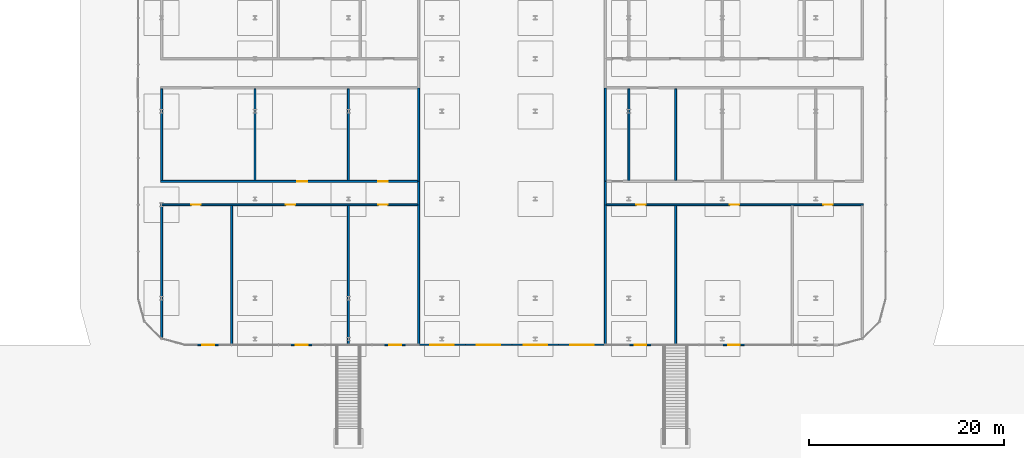
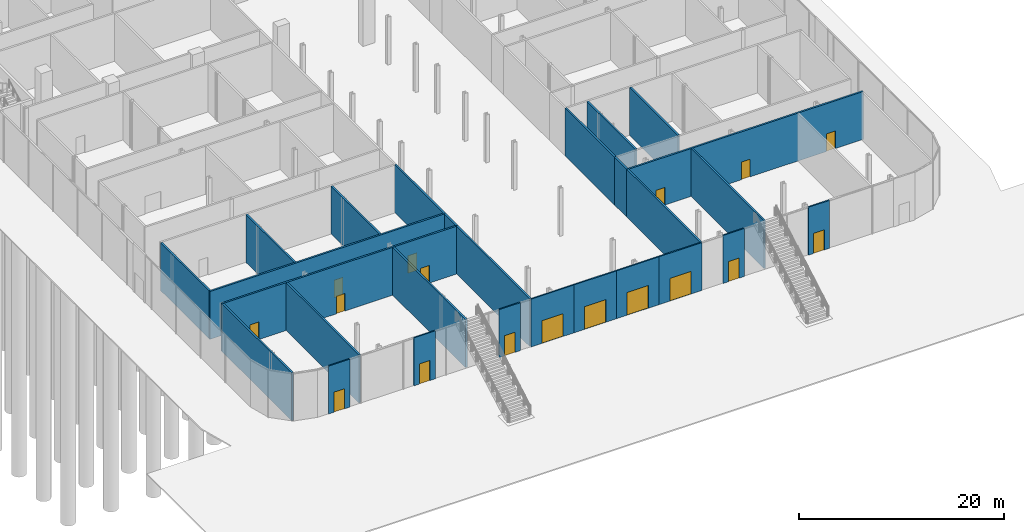
# One storey, part 29 of 44: 27 walls, 17 doors, 17 openings.
"""IFC4 building model written with IfcOpenShell, lengths in metres."""

from ifc_helpers import new_model, si_unit, direction, frame, frame_2d, origin, place, context, subcontext, project, spatial, rectangle, extrude, material, layer, layer_set, type_object, element, fill, save


model = new_model("IFC4")

# Units and contexts
model_context = context("Model", 3, precision=1e-05, world=origin(), true_north=direction((0.0, 1.0)))
body_context = subcontext(model_context, "Body", "Model", "MODEL_VIEW")
ifc_project = project(units=[si_unit("LENGTHUNIT", "METRE"), si_unit("AREAUNIT", "SQUARE_METRE"), si_unit("VOLUMEUNIT", "CUBIC_METRE"), si_unit("PLANEANGLEUNIT", "RADIAN"), si_unit("MASSUNIT", "GRAM", prefix="KILO")], contexts=[model_context])

# Site, building, storey
site_placement = place(None, origin())
site = spatial("IfcSite", under=ifc_project, at=site_placement, CompositionType="ELEMENT")
building_placement = place(site_placement, origin())
building = spatial("IfcBuilding", under=site, at=building_placement, Name="Madar Terraces", CompositionType="ELEMENT")
storey_placement = place(building_placement, origin())
storey = spatial("IfcBuildingStorey", under=building, at=storey_placement, Name="L00", CompositionType="ELEMENT", Elevation=0.0)

# Wall, opening, door
ifc_material_1 = material(Name="Aluminium composite panel, black, over insulated backing", Category="aluminium")
ifc_layer_1 = layer(ifc_material_1, 0.14990234375)
ifc_layer_set_1 = layer_set([ifc_layer_1], Name="Facade bay panel 150")
wall_type_1 = type_object("IfcWallType", Name="Facade bay panel 150", PredefinedType="SOLIDWALL", material=ifc_layer_set_1)
wall_1_placement = place(storey_placement, frame((1.199951171875, -52.800048828125, 0.0), z_axis=(0.0, 0.0, 1.0), x_axis=(-1.0, 0.0, 0.0)))
wall_1 = element("IfcWall", 1, at=wall_1_placement, inside=storey, type_object=wall_type_1, Name="Facade bay panel", PredefinedType="SOLIDWALL", context=body_context, shape_type="SweptSolid", body=[
    extrude(rectangle(XDim=2.39990234375, YDim=0.14990234375, at=frame_2d((1.199951171875, 0.0))), origin(), (0.0, 0.0, 1.0), 5.699951171875),
])
opening_1_placement = place(wall_1_placement, frame((0.60009765625, 0.0, 0.0)))
opening_1 = element("IfcOpeningElement", 2, at=opening_1_placement, cuts=wall_1, Name="Opening ED7", PredefinedType="OPENING", context=body_context, shape_type="SweptSolid", body=[
    extrude(rectangle(XDim=1.199951171875, YDim=2.39990234375, at=frame_2d((0.60009765625, 1.199951171875))), frame((0.0, 0.0849609375, 0.0), z_axis=(0.0, -1.0, 0.0), x_axis=(1.0, 0.0, 0.0)), (0.0, 0.0, 1.0), 0.169921875),
])
ifc_material_2 = material(Name="Glass, clear, with black aluminium frame", Category="aluminium")
door_type_1 = type_object("IfcDoorType", Name="Glazed shop door 1200 x 2400", OperationType="NOTDEFINED", PredefinedType="DOOR", material=ifc_material_2)
door_1_placement = place(opening_1_placement, origin())
door_1 = element("IfcDoor", 3, at=door_1_placement, inside=storey, type_object=door_type_1, Name="Shopfront door", OperationType="SINGLE_SWING_LEFT", OverallHeight=2.39990234375, OverallWidth=1.199951171875, PredefinedType="DOOR", context=body_context, shape_type="SweptSolid", body=[
    extrude(rectangle(XDim=1.199951171875, YDim=2.39990234375, at=frame_2d((0.60009765625, 1.199951171875))), frame((0.0, 0.02490234375, 0.0), z_axis=(0.0, -1.0, 0.0), x_axis=(1.0, 0.0, 0.0)), (0.0, 0.0, 1.0), 0.050048828125),
])
fill(opening_1, door_1)

wall_2_placement = place(storey_placement, frame((10.800048828125, -52.800048828125, 0.0), z_axis=(0.0, 0.0, 1.0), x_axis=(-1.0, 0.0, 0.0)))
wall_2 = element("IfcWall", 4, at=wall_2_placement, inside=storey, type_object=wall_type_1, Name="Facade bay panel", PredefinedType="SOLIDWALL", context=body_context, shape_type="SweptSolid", body=[
    extrude(rectangle(XDim=2.400146484375, YDim=0.14990234375, at=frame_2d((1.2001953125, 0.0))), origin(), (0.0, 0.0, 1.0), 5.699951171875),
])
opening_2_placement = place(wall_2_placement, frame((0.60009765625, 0.0, 0.0)))
opening_2 = element("IfcOpeningElement", 5, at=opening_2_placement, cuts=wall_2, Name="Opening ED7", PredefinedType="OPENING", context=body_context, shape_type="SweptSolid", body=[
    extrude(rectangle(XDim=1.199951171875, YDim=2.39990234375, at=frame_2d((0.60009765625, 1.199951171875))), frame((0.0, 0.0849609375, 0.0), z_axis=(0.0, -1.0, 0.0), x_axis=(1.0, 0.0, 0.0)), (0.0, 0.0, 1.0), 0.169921875),
])
door_2_placement = place(opening_2_placement, origin())
door_2 = element("IfcDoor", 6, at=door_2_placement, inside=storey, type_object=door_type_1, Name="Shopfront door", OperationType="SINGLE_SWING_RIGHT", OverallHeight=2.39990234375, OverallWidth=1.199951171875, PredefinedType="DOOR", context=body_context, shape_type="SweptSolid", body=[
    extrude(rectangle(XDim=1.199951171875, YDim=2.39990234375, at=frame_2d((0.60009765625, 1.199951171875))), frame((0.0, 0.02490234375, 0.0), z_axis=(0.0, -1.0, 0.0), x_axis=(1.0, 0.0, 0.0)), (0.0, 0.0, 1.0), 0.050048828125),
])
fill(opening_2, door_2)

wall_3_placement = place(storey_placement, frame((20.39990234375, -52.800048828125, 0.0), z_axis=(0.0, 0.0, 1.0), x_axis=(-1.0, 0.0, 0.0)))
wall_3 = element("IfcWall", 7, at=wall_3_placement, inside=storey, type_object=wall_type_1, Name="Facade bay panel", PredefinedType="SOLIDWALL", context=body_context, shape_type="SweptSolid", body=[
    extrude(rectangle(XDim=2.39990234375, YDim=0.14990234375, at=frame_2d((1.199951171875, 0.0))), origin(), (0.0, 0.0, 1.0), 5.699951171875),
])
opening_3_placement = place(wall_3_placement, frame((0.60009765625, 0.0, 0.0)))
opening_3 = element("IfcOpeningElement", 8, at=opening_3_placement, cuts=wall_3, Name="Opening ED7", PredefinedType="OPENING", context=body_context, shape_type="SweptSolid", body=[
    extrude(rectangle(XDim=1.199951171875, YDim=2.39990234375, at=frame_2d((0.60009765625, 1.199951171875))), frame((0.0, 0.0849609375, 0.0), z_axis=(0.0, -1.0, 0.0), x_axis=(1.0, 0.0, 0.0)), (0.0, 0.0, 1.0), 0.169921875),
])
door_3_placement = place(opening_3_placement, origin())
door_3 = element("IfcDoor", 9, at=door_3_placement, inside=storey, type_object=door_type_1, Name="Shopfront door", OperationType="SINGLE_SWING_LEFT", OverallHeight=2.39990234375, OverallWidth=1.199951171875, PredefinedType="DOOR", context=body_context, shape_type="SweptSolid", body=[
    extrude(rectangle(XDim=1.199951171875, YDim=2.39990234375, at=frame_2d((0.60009765625, 1.199951171875))), frame((0.0, 0.02490234375, 0.0), z_axis=(0.0, -1.0, 0.0), x_axis=(1.0, 0.0, 0.0)), (0.0, 0.0, 1.0), 0.050048828125),
])
fill(opening_3, door_3)

wall_4_placement = place(storey_placement, frame((21.60009765625, -52.800048828125, 0.0), z_axis=(0.0, 0.0, 1.0), x_axis=(1.0, 0.0, 0.0)))
wall_4 = element("IfcWall", 10, at=wall_4_placement, inside=storey, type_object=wall_type_1, Name="Facade bay panel", PredefinedType="SOLIDWALL", context=body_context, shape_type="SweptSolid", body=[
    extrude(rectangle(XDim=4.7998046875, YDim=0.14990234375, at=frame_2d((2.39990234375, 0.0))), origin(), (0.0, 0.0, 1.0), 5.699951171875),
])
opening_4_placement = place(wall_4_placement, frame((1.199951171875, 0.0, 0.0)))
opening_4 = element("IfcOpeningElement", 11, at=opening_4_placement, cuts=wall_4, Name="Opening ED3", PredefinedType="OPENING", context=body_context, shape_type="SweptSolid", body=[
    extrude(rectangle(XDim=2.39990234375, YDim=2.699951171875, at=frame_2d((1.199951171875, 1.35009765625))), frame((0.0, 0.0849609375, 0.0), z_axis=(0.0, -1.0, 0.0), x_axis=(1.0, 0.0, 0.0)), (0.0, 0.0, 1.0), 0.169921875),
])
ifc_material_3 = material(Name="Glass, clear, with black aluminium frame", Category="aluminium")
door_type_2 = type_object("IfcDoorType", Name="Entrance sliding door 2400 x 2700", OperationType="DOUBLE_DOOR_SLIDING", PredefinedType="DOOR", material=ifc_material_3)
door_4_placement = place(opening_4_placement, origin())
door_4 = element("IfcDoor", 12, at=door_4_placement, inside=storey, type_object=door_type_2, Name="Entrance door", OperationType="DOUBLE_DOOR_SLIDING", OverallHeight=2.699951171875, OverallWidth=2.39990234375, PredefinedType="DOOR", context=body_context, shape_type="SweptSolid", body=[
    extrude(rectangle(XDim=2.39990234375, YDim=2.699951171875, at=frame_2d((1.199951171875, 1.35009765625))), frame((0.0, 0.02490234375, 0.0), z_axis=(0.0, -1.0, 0.0), x_axis=(1.0, 0.0, 0.0)), (0.0, 0.0, 1.0), 0.050048828125),
])
fill(opening_4, door_4)

wall_5_placement = place(storey_placement, frame((26.39990234375, -52.800048828125, 0.0), z_axis=(0.0, 0.0, 1.0), x_axis=(1.0, 0.0, 0.0)))
wall_5 = element("IfcWall", 13, at=wall_5_placement, inside=storey, type_object=wall_type_1, Name="Facade bay panel", PredefinedType="SOLIDWALL", context=body_context, shape_type="SweptSolid", body=[
    extrude(rectangle(XDim=4.800048828125, YDim=0.14990234375, at=frame_2d((2.39990234375, 0.0))), origin(), (0.0, 0.0, 1.0), 5.699951171875),
])
opening_5_placement = place(wall_5_placement, frame((1.199951171875, 0.0, 0.0)))
opening_5 = element("IfcOpeningElement", 14, at=opening_5_placement, cuts=wall_5, Name="Opening ED3", PredefinedType="OPENING", context=body_context, shape_type="SweptSolid", body=[
    extrude(rectangle(XDim=2.39990234375, YDim=2.699951171875, at=frame_2d((1.199951171875, 1.35009765625))), frame((0.0, 0.0849609375, 0.0), z_axis=(0.0, -1.0, 0.0), x_axis=(1.0, 0.0, 0.0)), (0.0, 0.0, 1.0), 0.169921875),
])
door_5_placement = place(opening_5_placement, origin())
door_5 = element("IfcDoor", 15, at=door_5_placement, inside=storey, type_object=door_type_2, Name="Entrance door", OperationType="DOUBLE_DOOR_SLIDING", OverallHeight=2.699951171875, OverallWidth=2.39990234375, PredefinedType="DOOR", context=body_context, shape_type="SweptSolid", body=[
    extrude(rectangle(XDim=2.39990234375, YDim=2.699951171875, at=frame_2d((1.199951171875, 1.35009765625))), frame((0.0, 0.02490234375, 0.0), z_axis=(0.0, -1.0, 0.0), x_axis=(1.0, 0.0, 0.0)), (0.0, 0.0, 1.0), 0.050048828125),
])
fill(opening_5, door_5)

wall_6_placement = place(storey_placement, frame((31.199951171875, -52.800048828125, 0.0), z_axis=(0.0, 0.0, 1.0), x_axis=(1.0, 0.0, 0.0)))
wall_6 = element("IfcWall", 16, at=wall_6_placement, inside=storey, type_object=wall_type_1, Name="Facade bay panel", PredefinedType="SOLIDWALL", context=body_context, shape_type="SweptSolid", body=[
    extrude(rectangle(XDim=4.800048828125, YDim=0.14990234375, at=frame_2d((2.39990234375, 0.0))), origin(), (0.0, 0.0, 1.0), 5.699951171875),
])
opening_6_placement = place(wall_6_placement, frame((1.199951171875, 0.0, 0.0)))
opening_6 = element("IfcOpeningElement", 17, at=opening_6_placement, cuts=wall_6, Name="Opening ED3", PredefinedType="OPENING", context=body_context, shape_type="SweptSolid", body=[
    extrude(rectangle(XDim=2.39990234375, YDim=2.699951171875, at=frame_2d((1.199951171875, 1.35009765625))), frame((0.0, 0.0849609375, 0.0), z_axis=(0.0, -1.0, 0.0), x_axis=(1.0, 0.0, 0.0)), (0.0, 0.0, 1.0), 0.169921875),
])
door_6_placement = place(opening_6_placement, origin())
door_6 = element("IfcDoor", 18, at=door_6_placement, inside=storey, type_object=door_type_2, Name="Entrance door", OperationType="DOUBLE_DOOR_SLIDING", OverallHeight=2.699951171875, OverallWidth=2.39990234375, PredefinedType="DOOR", context=body_context, shape_type="SweptSolid", body=[
    extrude(rectangle(XDim=2.39990234375, YDim=2.699951171875, at=frame_2d((1.199951171875, 1.35009765625))), frame((0.0, 0.02490234375, 0.0), z_axis=(0.0, -1.0, 0.0), x_axis=(1.0, 0.0, 0.0)), (0.0, 0.0, 1.0), 0.050048828125),
])
fill(opening_6, door_6)

wall_7_placement = place(storey_placement, frame((36.0, -52.800048828125, 0.0), z_axis=(0.0, 0.0, 1.0), x_axis=(1.0, 0.0, 0.0)))
wall_7 = element("IfcWall", 19, at=wall_7_placement, inside=storey, type_object=wall_type_1, Name="Facade bay panel", PredefinedType="SOLIDWALL", context=body_context, shape_type="SweptSolid", body=[
    extrude(rectangle(XDim=4.800048828125, YDim=0.14990234375, at=frame_2d((2.39990234375, 0.0))), origin(), (0.0, 0.0, 1.0), 5.699951171875),
])
opening_7_placement = place(wall_7_placement, frame((1.199951171875, 0.0, 0.0)))
opening_7 = element("IfcOpeningElement", 20, at=opening_7_placement, cuts=wall_7, Name="Opening ED3", PredefinedType="OPENING", context=body_context, shape_type="SweptSolid", body=[
    extrude(rectangle(XDim=2.39990234375, YDim=2.699951171875, at=frame_2d((1.199951171875, 1.35009765625))), frame((0.0, 0.0849609375, 0.0), z_axis=(0.0, -1.0, 0.0), x_axis=(1.0, 0.0, 0.0)), (0.0, 0.0, 1.0), 0.169921875),
])
door_7_placement = place(opening_7_placement, origin())
door_7 = element("IfcDoor", 21, at=door_7_placement, inside=storey, type_object=door_type_2, Name="Entrance door", OperationType="DOUBLE_DOOR_SLIDING", OverallHeight=2.699951171875, OverallWidth=2.39990234375, PredefinedType="DOOR", context=body_context, shape_type="SweptSolid", body=[
    extrude(rectangle(XDim=2.39990234375, YDim=2.699951171875, at=frame_2d((1.199951171875, 1.35009765625))), frame((0.0, 0.02490234375, 0.0), z_axis=(0.0, -1.0, 0.0), x_axis=(1.0, 0.0, 0.0)), (0.0, 0.0, 1.0), 0.050048828125),
])
fill(opening_7, door_7)

wall_8_placement = place(storey_placement, frame((45.60009765625, -52.800048828125, 0.0), z_axis=(0.0, 0.0, 1.0), x_axis=(-1.0, 0.0, 0.0)))
wall_8 = element("IfcWall", 22, at=wall_8_placement, inside=storey, type_object=wall_type_1, Name="Facade bay panel", PredefinedType="SOLIDWALL", context=body_context, shape_type="SweptSolid", body=[
    extrude(rectangle(XDim=2.400146484375, YDim=0.14990234375, at=frame_2d((1.2001953125, 0.0))), origin(), (0.0, 0.0, 1.0), 5.699951171875),
])
opening_8_placement = place(wall_8_placement, frame((0.60009765625, 0.0, 0.0)))
opening_8 = element("IfcOpeningElement", 23, at=opening_8_placement, cuts=wall_8, Name="Opening ED7", PredefinedType="OPENING", context=body_context, shape_type="SweptSolid", body=[
    extrude(rectangle(XDim=1.199951171875, YDim=2.39990234375, at=frame_2d((0.60009765625, 1.199951171875))), frame((0.0, 0.0849609375, 0.0), z_axis=(0.0, -1.0, 0.0), x_axis=(1.0, 0.0, 0.0)), (0.0, 0.0, 1.0), 0.169921875),
])
door_8_placement = place(opening_8_placement, origin())
door_8 = element("IfcDoor", 24, at=door_8_placement, inside=storey, type_object=door_type_1, Name="Shopfront door", OperationType="SINGLE_SWING_RIGHT", OverallHeight=2.39990234375, OverallWidth=1.199951171875, PredefinedType="DOOR", context=body_context, shape_type="SweptSolid", body=[
    extrude(rectangle(XDim=1.199951171875, YDim=2.39990234375, at=frame_2d((0.60009765625, 1.199951171875))), frame((0.0, 0.02490234375, 0.0), z_axis=(0.0, -1.0, 0.0), x_axis=(1.0, 0.0, 0.0)), (0.0, 0.0, 1.0), 0.050048828125),
])
fill(opening_8, door_8)

wall_9_placement = place(storey_placement, frame((55.199951171875, -52.800048828125, 0.0), z_axis=(0.0, 0.0, 1.0), x_axis=(-1.0, 0.0, 0.0)))
wall_9 = element("IfcWall", 25, at=wall_9_placement, inside=storey, type_object=wall_type_1, Name="Facade bay panel", PredefinedType="SOLIDWALL", context=body_context, shape_type="SweptSolid", body=[
    extrude(rectangle(XDim=2.39990234375, YDim=0.14990234375, at=frame_2d((1.199951171875, 0.0))), origin(), (0.0, 0.0, 1.0), 5.699951171875),
])
opening_9_placement = place(wall_9_placement, frame((0.60009765625, 0.0, 0.0)))
opening_9 = element("IfcOpeningElement", 26, at=opening_9_placement, cuts=wall_9, Name="Opening ED7", PredefinedType="OPENING", context=body_context, shape_type="SweptSolid", body=[
    extrude(rectangle(XDim=1.199951171875, YDim=2.39990234375, at=frame_2d((0.60009765625, 1.199951171875))), frame((0.0, 0.0849609375, 0.0), z_axis=(0.0, -1.0, 0.0), x_axis=(1.0, 0.0, 0.0)), (0.0, 0.0, 1.0), 0.169921875),
])
door_9_placement = place(opening_9_placement, origin())
door_9 = element("IfcDoor", 27, at=door_9_placement, inside=storey, type_object=door_type_1, Name="Shopfront door", OperationType="SINGLE_SWING_LEFT", OverallHeight=2.39990234375, OverallWidth=1.199951171875, PredefinedType="DOOR", context=body_context, shape_type="SweptSolid", body=[
    extrude(rectangle(XDim=1.199951171875, YDim=2.39990234375, at=frame_2d((0.60009765625, 1.199951171875))), frame((0.0, 0.02490234375, 0.0), z_axis=(0.0, -1.0, 0.0), x_axis=(1.0, 0.0, 0.0)), (0.0, 0.0, 1.0), 0.050048828125),
])
fill(opening_9, door_9)

# Wall, openings, doors
ifc_material_4 = material(Name="Gypsum board partition, fire-rated")
ifc_layer_2 = layer(ifc_material_4, 0.199951171875)
ifc_layer_set_2 = layer_set([ifc_layer_2], Name="Partition 200 EI 60")
wall_type_2 = type_object("IfcWallType", Name="Partition 200 EI 60", PredefinedType="PARTITIONING", material=ifc_layer_set_2)
wall_10_placement = place(storey_placement, frame((21.5, -38.39990234375, 0.0), z_axis=(0.0, 0.0, 1.0), x_axis=(-1.0, 0.0, 0.0)))
wall_10 = element("IfcWall", 28, at=wall_10_placement, inside=storey, type_object=wall_type_2, Name="Wall RETAIL UNIT", PredefinedType="PARTITIONING", context=body_context, shape_type="SweptSolid", body=[
    extrude(rectangle(XDim=26.39990234375, YDim=0.199951171875, at=frame_2d((13.199951171875, 0.0))), origin(), (0.0, 0.0, 1.0), 5.699951171875),
])
opening_10_placement = place(wall_10_placement, frame((22.25, 0.0, 0.0)))
opening_10 = element("IfcOpeningElement", 29, at=opening_10_placement, cuts=wall_10, Name="Opening D31", PredefinedType="OPENING", context=body_context, shape_type="SweptSolid", body=[
    extrude(rectangle(XDim=1.0, YDim=2.10009765625, at=frame_2d((0.5, 1.050048828125))), frame((0.0, 0.10986328125, 0.0), z_axis=(0.0, -1.0, 0.0), x_axis=(1.0, 0.0, 0.0)), (0.0, 0.0, 1.0), 0.219970703125),
])
opening_11_placement = place(wall_10_placement, frame((12.550048828125, 0.0, 0.0)))
opening_11 = element("IfcOpeningElement", 30, at=opening_11_placement, cuts=wall_10, Name="Opening D31", PredefinedType="OPENING", context=body_context, shape_type="SweptSolid", body=[
    extrude(rectangle(XDim=1.0, YDim=2.10009765625, at=frame_2d((0.5, 1.050048828125))), frame((0.0, 0.10986328125, 0.0), z_axis=(0.0, -1.0, 0.0), x_axis=(1.0, 0.0, 0.0)), (0.0, 0.0, 1.0), 0.219970703125),
])
opening_12_placement = place(wall_10_placement, frame((3.050048828125, 0.0, 0.0)))
opening_12 = element("IfcOpeningElement", 31, at=opening_12_placement, cuts=wall_10, Name="Opening D31", PredefinedType="OPENING", context=body_context, shape_type="SweptSolid", body=[
    extrude(rectangle(XDim=1.0, YDim=2.10009765625, at=frame_2d((0.5, 1.050048828125))), frame((0.0, 0.10986328125, 0.0), z_axis=(0.0, -1.0, 0.0), x_axis=(1.0, 0.0, 0.0)), (0.0, 0.0, 1.0), 0.219970703125),
])
ifc_material_5 = material(Name="Timber door leaf, fire-rated", Category="wood")
door_type_3 = type_object("IfcDoorType", Name="Podium door 1000 x 2100 FD30S", OperationType="NOTDEFINED", PredefinedType="DOOR", material=ifc_material_5)
door_10_placement = place(opening_10_placement, origin())
door_10 = element("IfcDoor", 32, at=door_10_placement, inside=storey, type_object=door_type_3, Name="Door RETAIL UNIT / PODIUM CORRIDOR", OperationType="SINGLE_SWING_RIGHT", OverallHeight=2.10009765625, OverallWidth=1.0, PredefinedType="DOOR", context=body_context, shape_type="SweptSolid", body=[
    extrude(rectangle(XDim=1.0, YDim=2.10009765625, at=frame_2d((0.5, 1.050048828125))), frame((0.0, 0.02490234375, 0.0), z_axis=(0.0, -1.0, 0.0), x_axis=(1.0, 0.0, 0.0)), (0.0, 0.0, 1.0), 0.050048828125),
])
fill(opening_10, door_10)
door_11_placement = place(opening_11_placement, origin())
door_11 = element("IfcDoor", 33, at=door_11_placement, inside=storey, type_object=door_type_3, Name="Door RETAIL UNIT / PODIUM CORRIDOR", OperationType="SINGLE_SWING_LEFT", OverallHeight=2.10009765625, OverallWidth=1.0, PredefinedType="DOOR", context=body_context, shape_type="SweptSolid", body=[
    extrude(rectangle(XDim=1.0, YDim=2.10009765625, at=frame_2d((0.5, 1.050048828125))), frame((0.0, 0.02490234375, 0.0), z_axis=(0.0, -1.0, 0.0), x_axis=(1.0, 0.0, 0.0)), (0.0, 0.0, 1.0), 0.050048828125),
])
fill(opening_11, door_11)
door_12_placement = place(opening_12_placement, origin())
door_12 = element("IfcDoor", 34, at=door_12_placement, inside=storey, type_object=door_type_3, Name="Door RETAIL UNIT / PODIUM CORRIDOR", OperationType="SINGLE_SWING_LEFT", OverallHeight=2.10009765625, OverallWidth=1.0, PredefinedType="DOOR", context=body_context, shape_type="SweptSolid", body=[
    extrude(rectangle(XDim=1.0, YDim=2.10009765625, at=frame_2d((0.5, 1.050048828125))), frame((0.0, 0.02490234375, 0.0), z_axis=(0.0, -1.0, 0.0), x_axis=(1.0, 0.0, 0.0)), (0.0, 0.0, 1.0), 0.050048828125),
])
fill(opening_12, door_12)

wall_11_placement = place(storey_placement, frame((67.300048828125, -38.39990234375, 0.0), z_axis=(0.0, 0.0, 1.0), x_axis=(-1.0, 0.0, 0.0)))
wall_11 = element("IfcWall", 35, at=wall_11_placement, inside=storey, type_object=wall_type_2, Name="Wall RETAIL UNIT", PredefinedType="PARTITIONING", context=body_context, shape_type="SweptSolid", body=[
    extrude(rectangle(XDim=26.400146484375, YDim=0.199951171875, at=frame_2d((13.2001953125, 0.0))), origin(), (0.0, 0.0, 1.0), 5.699951171875),
])
opening_13_placement = place(wall_11_placement, frame((22.35009765625, 0.0, 0.0)))
opening_13 = element("IfcOpeningElement", 36, at=opening_13_placement, cuts=wall_11, Name="Opening D31", PredefinedType="OPENING", context=body_context, shape_type="SweptSolid", body=[
    extrude(rectangle(XDim=1.0, YDim=2.10009765625, at=frame_2d((0.5, 1.050048828125))), frame((0.0, 0.10986328125, 0.0), z_axis=(0.0, -1.0, 0.0), x_axis=(1.0, 0.0, 0.0)), (0.0, 0.0, 1.0), 0.219970703125),
])
opening_14_placement = place(wall_11_placement, frame((12.75, 0.0, 0.0)))
opening_14 = element("IfcOpeningElement", 37, at=opening_14_placement, cuts=wall_11, Name="Opening D31", PredefinedType="OPENING", context=body_context, shape_type="SweptSolid", body=[
    extrude(rectangle(XDim=1.0, YDim=2.10009765625, at=frame_2d((0.5, 1.050048828125))), frame((0.0, 0.10986328125, 0.0), z_axis=(0.0, -1.0, 0.0), x_axis=(1.0, 0.0, 0.0)), (0.0, 0.0, 1.0), 0.219970703125),
])
opening_15_placement = place(wall_11_placement, frame((3.14990234375, 0.0, 0.0)))
opening_15 = element("IfcOpeningElement", 38, at=opening_15_placement, cuts=wall_11, Name="Opening D31", PredefinedType="OPENING", context=body_context, shape_type="SweptSolid", body=[
    extrude(rectangle(XDim=1.0, YDim=2.10009765625, at=frame_2d((0.5, 1.050048828125))), frame((0.0, 0.10986328125, 0.0), z_axis=(0.0, -1.0, 0.0), x_axis=(1.0, 0.0, 0.0)), (0.0, 0.0, 1.0), 0.219970703125),
])
door_13_placement = place(opening_13_placement, origin())
door_13 = element("IfcDoor", 39, at=door_13_placement, inside=storey, type_object=door_type_3, Name="Door RETAIL UNIT / PODIUM CORRIDOR", OperationType="SINGLE_SWING_LEFT", OverallHeight=2.10009765625, OverallWidth=1.0, PredefinedType="DOOR", context=body_context, shape_type="SweptSolid", body=[
    extrude(rectangle(XDim=1.0, YDim=2.10009765625, at=frame_2d((0.5, 1.050048828125))), frame((0.0, 0.02490234375, 0.0), z_axis=(0.0, -1.0, 0.0), x_axis=(1.0, 0.0, 0.0)), (0.0, 0.0, 1.0), 0.050048828125),
])
fill(opening_13, door_13)
door_14_placement = place(opening_14_placement, origin())
door_14 = element("IfcDoor", 40, at=door_14_placement, inside=storey, type_object=door_type_3, Name="Door RETAIL UNIT / PODIUM CORRIDOR", OperationType="SINGLE_SWING_LEFT", OverallHeight=2.10009765625, OverallWidth=1.0, PredefinedType="DOOR", context=body_context, shape_type="SweptSolid", body=[
    extrude(rectangle(XDim=1.0, YDim=2.10009765625, at=frame_2d((0.5, 1.050048828125))), frame((0.0, 0.02490234375, 0.0), z_axis=(0.0, -1.0, 0.0), x_axis=(1.0, 0.0, 0.0)), (0.0, 0.0, 1.0), 0.050048828125),
])
fill(opening_14, door_14)
door_15_placement = place(opening_15_placement, origin())
door_15 = element("IfcDoor", 41, at=door_15_placement, inside=storey, type_object=door_type_3, Name="Door RETAIL UNIT / PODIUM CORRIDOR", OperationType="SINGLE_SWING_LEFT", OverallHeight=2.10009765625, OverallWidth=1.0, PredefinedType="DOOR", context=body_context, shape_type="SweptSolid", body=[
    extrude(rectangle(XDim=1.0, YDim=2.10009765625, at=frame_2d((0.5, 1.050048828125))), frame((0.0, 0.02490234375, 0.0), z_axis=(0.0, -1.0, 0.0), x_axis=(1.0, 0.0, 0.0)), (0.0, 0.0, 1.0), 0.050048828125),
])
fill(opening_15, door_15)

wall_12_placement = place(storey_placement, frame((-4.89990234375, -36.0, 0.0), z_axis=(0.0, 0.0, 1.0), x_axis=(1.0, 0.0, 0.0)))
wall_12 = element("IfcWall", 42, at=wall_12_placement, inside=storey, type_object=wall_type_2, Name="Wall KIOSK + OFFICE", PredefinedType="PARTITIONING", context=body_context, shape_type="SweptSolid", body=[
    extrude(rectangle(XDim=26.39990234375, YDim=0.199951171875, at=frame_2d((13.199951171875, 0.0))), origin(), (0.0, 0.0, 1.0), 5.699951171875),
])
opening_16_placement = place(wall_12_placement, frame((14.050048828125, 0.0, 0.0)))
opening_16 = element("IfcOpeningElement", 43, at=opening_16_placement, cuts=wall_12, Name="Opening D31", PredefinedType="OPENING", context=body_context, shape_type="SweptSolid", body=[
    extrude(rectangle(XDim=1.0, YDim=2.10009765625, at=frame_2d((0.5, 1.050048828125))), frame((0.0, 0.10986328125, 0.0), z_axis=(0.0, -1.0, 0.0), x_axis=(1.0, 0.0, 0.0)), (0.0, 0.0, 1.0), 0.219970703125),
])
opening_17_placement = place(wall_12_placement, frame((22.35009765625, 0.0, 0.0)))
opening_17 = element("IfcOpeningElement", 44, at=opening_17_placement, cuts=wall_12, Name="Opening D31", PredefinedType="OPENING", context=body_context, shape_type="SweptSolid", body=[
    extrude(rectangle(XDim=1.0, YDim=2.10009765625, at=frame_2d((0.5, 1.050048828125))), frame((0.0, 0.10986328125, 0.0), z_axis=(0.0, -1.0, 0.0), x_axis=(1.0, 0.0, 0.0)), (0.0, 0.0, 1.0), 0.219970703125),
])
door_16_placement = place(opening_16_placement, origin())
door_16 = element("IfcDoor", 45, at=door_16_placement, inside=storey, type_object=door_type_3, Name="Door OFFICE / PODIUM CORRIDOR", OperationType="SINGLE_SWING_RIGHT", OverallHeight=2.10009765625, OverallWidth=1.0, PredefinedType="DOOR", context=body_context, shape_type="SweptSolid", body=[
    extrude(rectangle(XDim=1.0, YDim=2.10009765625, at=frame_2d((0.5, 1.050048828125))), frame((0.0, 0.02490234375, 0.0), z_axis=(0.0, -1.0, 0.0), x_axis=(1.0, 0.0, 0.0)), (0.0, 0.0, 1.0), 0.050048828125),
])
fill(opening_16, door_16)
door_17_placement = place(opening_17_placement, origin())
door_17 = element("IfcDoor", 46, at=door_17_placement, inside=storey, type_object=door_type_3, Name="Door KIOSK / PODIUM CORRIDOR", OperationType="SINGLE_SWING_LEFT", OverallHeight=2.10009765625, OverallWidth=1.0, PredefinedType="DOOR", context=body_context, shape_type="SweptSolid", body=[
    extrude(rectangle(XDim=1.0, YDim=2.10009765625, at=frame_2d((0.5, 1.050048828125))), frame((0.0, 0.02490234375, 0.0), z_axis=(0.0, -1.0, 0.0), x_axis=(1.0, 0.0, 0.0)), (0.0, 0.0, 1.0), 0.050048828125),
])
fill(opening_17, door_17)

# Walls
wall_13_placement = place(storey_placement, frame((-4.800048828125, -52.06005859375, 0.0), z_axis=(0.0, 0.0, 1.0), x_axis=(0.0, 1.0, 0.0)))
element("IfcWall", 47, at=wall_13_placement, inside=storey, type_object=wall_type_2, Name="Wall RETAIL UNIT / PODIUM CORRIDOR", PredefinedType="PARTITIONING", context=body_context, shape_type="SweptSolid", body=[
    extrude(rectangle(XDim=13.56005859375, YDim=0.199951171875, at=frame_2d((6.780029296875, 0.0))), origin(), (0.0, 0.0, 1.0), 5.699951171875),
])
wall_14_placement = place(storey_placement, frame((-4.800048828125, -35.89990234375, 0.0), z_axis=(0.0, 0.0, 1.0), x_axis=(0.0, 1.0, 0.0)))
element("IfcWall", 48, at=wall_14_placement, inside=storey, type_object=wall_type_2, Name="Wall OFFICE / PODIUM CORRIDOR", PredefinedType="PARTITIONING", context=body_context, shape_type="SweptSolid", body=[
    extrude(rectangle(XDim=9.39990234375, YDim=0.199951171875, at=frame_2d((4.699951171875, 0.0))), origin(), (0.0, 0.0, 1.0), 5.699951171875),
])
wall_15_placement = place(storey_placement, frame((2.39990234375, -52.699951171875, 0.0), z_axis=(0.0, 0.0, 1.0), x_axis=(0.0, 1.0, 0.0)))
element("IfcWall", 49, at=wall_15_placement, inside=storey, type_object=wall_type_2, Name="Wall RETAIL UNIT / RETAIL UNIT", PredefinedType="PARTITIONING", context=body_context, shape_type="SweptSolid", body=[
    extrude(rectangle(XDim=14.199951171875, YDim=0.199951171875, at=frame_2d((7.10009765625, 0.0))), origin(), (0.0, 0.0, 1.0), 5.699951171875),
])
wall_16_placement = place(storey_placement, frame((4.800048828125, -35.89990234375, 0.0), z_axis=(0.0, 0.0, 1.0), x_axis=(0.0, 1.0, 0.0)))
element("IfcWall", 50, at=wall_16_placement, inside=storey, type_object=wall_type_2, Name="Wall OFFICE / OFFICE", PredefinedType="PARTITIONING", context=body_context, shape_type="SweptSolid", body=[
    extrude(rectangle(XDim=9.39990234375, YDim=0.199951171875, at=frame_2d((4.699951171875, 0.0))), origin(), (0.0, 0.0, 1.0), 5.699951171875),
])
wall_17_placement = place(storey_placement, frame((14.39990234375, -52.699951171875, 0.0), z_axis=(0.0, 0.0, 1.0), x_axis=(0.0, 1.0, 0.0)))
element("IfcWall", 51, at=wall_17_placement, inside=storey, type_object=wall_type_2, Name="Wall RETAIL UNIT / RETAIL UNIT", PredefinedType="PARTITIONING", context=body_context, shape_type="SweptSolid", body=[
    extrude(rectangle(XDim=14.199951171875, YDim=0.199951171875, at=frame_2d((7.10009765625, 0.0))), origin(), (0.0, 0.0, 1.0), 5.699951171875),
])
wall_18_placement = place(storey_placement, frame((14.39990234375, -35.89990234375, 0.0), z_axis=(0.0, 0.0, 1.0), x_axis=(0.0, 1.0, 0.0)))
element("IfcWall", 52, at=wall_18_placement, inside=storey, type_object=wall_type_2, Name="Wall OFFICE / KIOSK", PredefinedType="PARTITIONING", context=body_context, shape_type="SweptSolid", body=[
    extrude(rectangle(XDim=9.39990234375, YDim=0.199951171875, at=frame_2d((4.699951171875, 0.0))), origin(), (0.0, 0.0, 1.0), 5.699951171875),
])
wall_19_placement = place(storey_placement, frame((21.60009765625, -52.699951171875, 0.0), z_axis=(0.0, 0.0, 1.0), x_axis=(0.0, 1.0, 0.0)))
element("IfcWall", 53, at=wall_19_placement, inside=storey, type_object=wall_type_2, Name="Wall RETAIL UNIT / ENTRANCE HALL", PredefinedType="PARTITIONING", context=body_context, shape_type="SweptSolid", body=[
    extrude(rectangle(XDim=14.300048828125, YDim=0.199951171875, at=frame_2d((7.14990234375, 0.0))), origin(), (0.0, 0.0, 1.0), 5.699951171875),
])
wall_20_placement = place(storey_placement, frame((21.60009765625, -36.0, 0.0), z_axis=(0.0, 0.0, 1.0), x_axis=(0.0, 1.0, 0.0)))
element("IfcWall", 54, at=wall_20_placement, inside=storey, type_object=wall_type_2, Name="Wall KIOSK / ENTRANCE HALL", PredefinedType="PARTITIONING", context=body_context, shape_type="SweptSolid", body=[
    extrude(rectangle(XDim=9.60009765625, YDim=0.199951171875, at=frame_2d((4.800048828125, 0.0))), origin(), (0.0, 0.0, 1.0), 5.699951171875),
])
wall_21_placement = place(storey_placement, frame((21.60009765625, -38.39990234375, 0.0), z_axis=(0.0, 0.0, 1.0), x_axis=(0.0, 1.0, 0.0)))
element("IfcWall", 55, at=wall_21_placement, inside=storey, type_object=wall_type_2, Name="Wall ENTRANCE HALL / PODIUM CORRIDOR", PredefinedType="PARTITIONING", context=body_context, shape_type="SweptSolid", body=[
    extrude(rectangle(XDim=2.39990234375, YDim=0.199951171875, at=frame_2d((1.199951171875, 0.0))), origin(), (0.0, 0.0, 1.0), 5.699951171875),
])
wall_22_placement = place(storey_placement, frame((40.800048828125, -52.699951171875, 0.0), z_axis=(0.0, 0.0, 1.0), x_axis=(0.0, 1.0, 0.0)))
element("IfcWall", 56, at=wall_22_placement, inside=storey, type_object=wall_type_2, Name="Wall RETAIL UNIT / ENTRANCE HALL", PredefinedType="PARTITIONING", context=body_context, shape_type="SweptSolid", body=[
    extrude(rectangle(XDim=14.300048828125, YDim=0.199951171875, at=frame_2d((7.14990234375, 0.0))), origin(), (0.0, 0.0, 1.0), 5.699951171875),
])
wall_23_placement = place(storey_placement, frame((40.800048828125, -36.0, 0.0), z_axis=(0.0, 0.0, 1.0), x_axis=(0.0, 1.0, 0.0)))
element("IfcWall", 57, at=wall_23_placement, inside=storey, type_object=wall_type_2, Name="Wall STORE / ENTRANCE HALL", PredefinedType="PARTITIONING", context=body_context, shape_type="SweptSolid", body=[
    extrude(rectangle(XDim=9.60009765625, YDim=0.199951171875, at=frame_2d((4.800048828125, 0.0))), origin(), (0.0, 0.0, 1.0), 5.699951171875),
])
wall_24_placement = place(storey_placement, frame((40.800048828125, -38.39990234375, 0.0), z_axis=(0.0, 0.0, 1.0), x_axis=(0.0, 1.0, 0.0)))
element("IfcWall", 58, at=wall_24_placement, inside=storey, type_object=wall_type_2, Name="Wall ENTRANCE HALL / PODIUM CORRIDOR", PredefinedType="PARTITIONING", context=body_context, shape_type="SweptSolid", body=[
    extrude(rectangle(XDim=2.39990234375, YDim=0.199951171875, at=frame_2d((1.199951171875, 0.0))), origin(), (0.0, 0.0, 1.0), 5.699951171875),
])
wall_25_placement = place(storey_placement, frame((43.199951171875, -35.89990234375, 0.0), z_axis=(0.0, 0.0, 1.0), x_axis=(0.0, 1.0, 0.0)))
element("IfcWall", 59, at=wall_25_placement, inside=storey, type_object=wall_type_2, Name="Wall STORE / OFFICE", PredefinedType="PARTITIONING", context=body_context, shape_type="SweptSolid", body=[
    extrude(rectangle(XDim=9.39990234375, YDim=0.199951171875, at=frame_2d((4.699951171875, 0.0))), origin(), (0.0, 0.0, 1.0), 5.699951171875),
])
wall_26_placement = place(storey_placement, frame((48.0, -52.699951171875, 0.0), z_axis=(0.0, 0.0, 1.0), x_axis=(0.0, 1.0, 0.0)))
element("IfcWall", 60, at=wall_26_placement, inside=storey, type_object=wall_type_2, Name="Wall RETAIL UNIT / RETAIL UNIT", PredefinedType="PARTITIONING", context=body_context, shape_type="SweptSolid", body=[
    extrude(rectangle(XDim=14.199951171875, YDim=0.199951171875, at=frame_2d((7.10009765625, 0.0))), origin(), (0.0, 0.0, 1.0), 5.699951171875),
])
wall_27_placement = place(storey_placement, frame((48.0, -35.89990234375, 0.0), z_axis=(0.0, 0.0, 1.0), x_axis=(0.0, 1.0, 0.0)))
element("IfcWall", 61, at=wall_27_placement, inside=storey, type_object=wall_type_2, Name="Wall OFFICE / OFFICE", PredefinedType="PARTITIONING", context=body_context, shape_type="SweptSolid", body=[
    extrude(rectangle(XDim=9.39990234375, YDim=0.199951171875, at=frame_2d((4.699951171875, 0.0))), origin(), (0.0, 0.0, 1.0), 5.699951171875),
])

save(model, "model.ifc")
